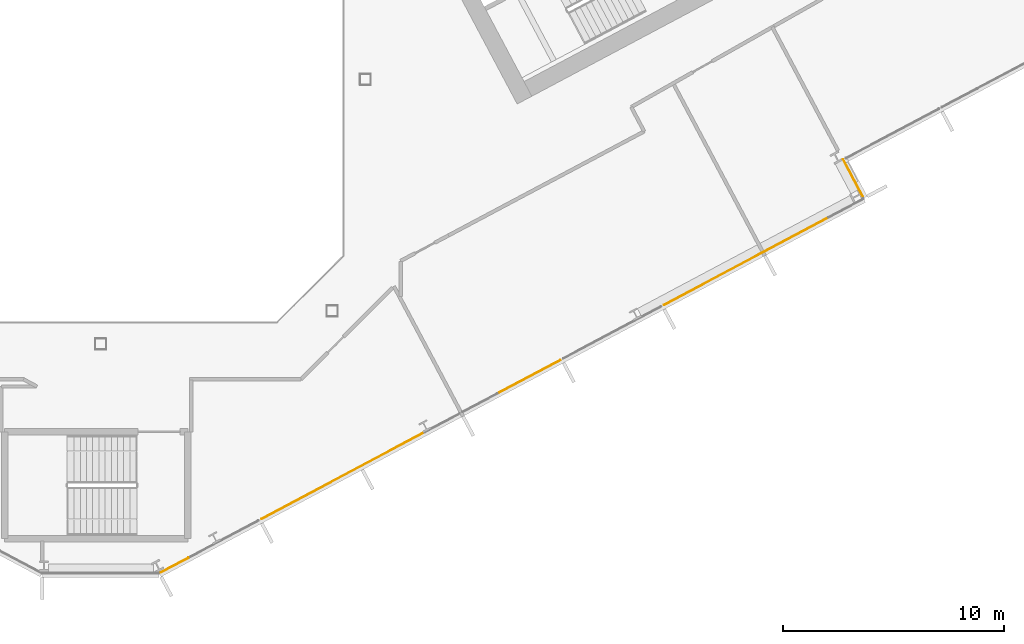
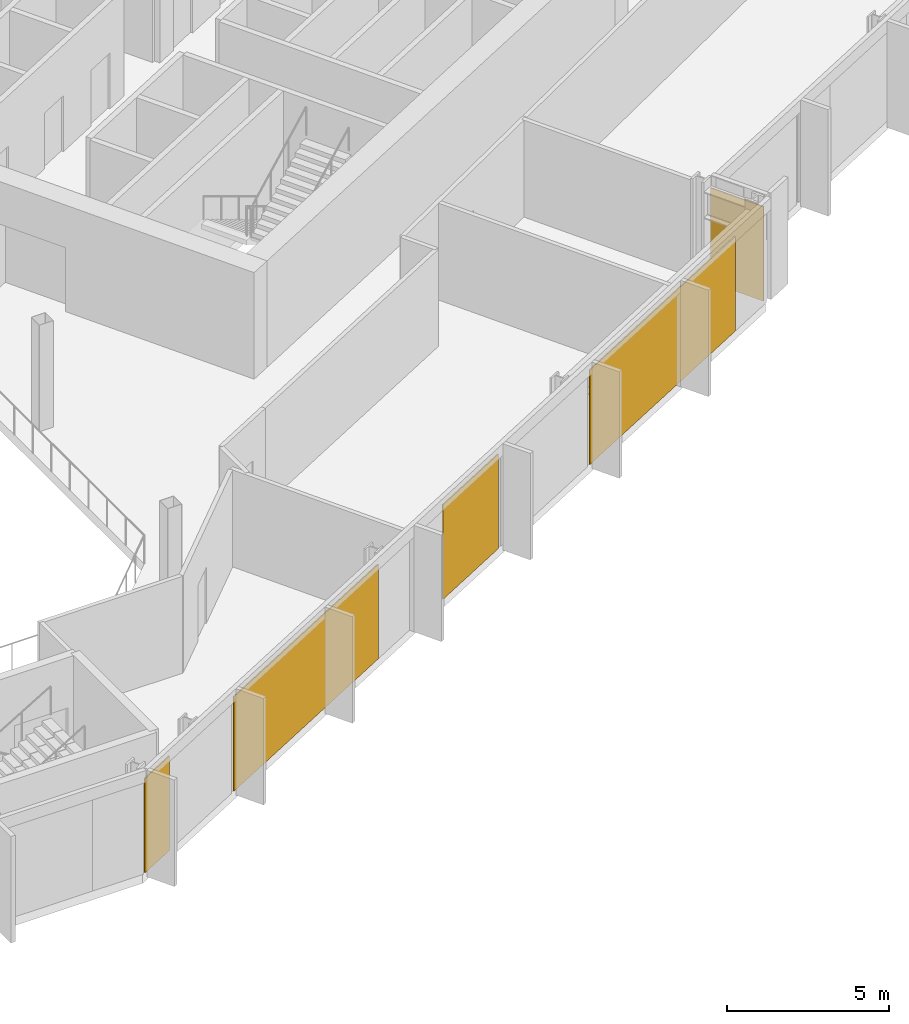
# One storey, part 24 of 28: 5 coverings, 2 elements without a shape of their own.
"""IFC4 building model written with IfcOpenShell, lengths in metres."""

from ifc_helpers import new_model, si_unit, direction, frame, origin, origin_2d, place, context, subcontext, project, spatial, rectangle, extrude, material, layer, layer_set, type_object, element, aggregate, save


model = new_model("IFC4")

# Units and contexts
model_context = context("Model", 3, precision=1e-05, world=origin(), true_north=direction((0.0, 1.0)))
body_context = subcontext(model_context, "Body", "Model", "MODEL_VIEW")
ifc_project = project(units=[si_unit("LENGTHUNIT", "METRE"), si_unit("AREAUNIT", "SQUARE_METRE"), si_unit("VOLUMEUNIT", "CUBIC_METRE"), si_unit("PLANEANGLEUNIT", "RADIAN"), si_unit("MASSUNIT", "GRAM", prefix="KILO")], contexts=[model_context])

# Site, building, storey
site_placement = place(None, origin())
site = spatial("IfcSite", under=ifc_project, at=site_placement, CompositionType="ELEMENT")
building_placement = place(site_placement, origin())
building = spatial("IfcBuilding", under=site, at=building_placement, Name="Cormorant Relay Tower", CompositionType="ELEMENT")
storey_placement = place(building_placement, frame((0.0, 0.0, 150.199951171875)))
storey = spatial("IfcBuildingStorey", under=building, at=storey_placement, Name="L31", CompositionType="ELEMENT", Elevation=150.199951171875)

# Curtain wall, coverings
ifc_material_1 = material(Name="Aluminium 6063-T6 anodised bronze", Category="aluminium")
ifc_layer_1 = layer(ifc_material_1, 0.199951171875)
ifc_layer_set_1 = layer_set([ifc_layer_1], Name="CW1 unitised bronze curtain wall with vertical fins")
curtain_wall_type = type_object("IfcCurtainWallType", Name="CW1 unitised bronze curtain wall with vertical fins", PredefinedType="NOTDEFINED", material=ifc_layer_set_1)
curtain_wall_1_placement = place(storey_placement, origin())
curtain_wall_1 = element("IfcCurtainWall", 1, at=curtain_wall_1_placement, inside=storey, type_object=curtain_wall_type, Name="CW1 curtain wall 2", PredefinedType="NOTDEFINED")
ifc_material_2 = material(Name="Pale bronze anodised aluminium insulated panel", Category="aluminium")
ifc_layer_2 = layer(ifc_material_2, 0.0400390625)
ifc_layer_set_2 = layer_set([ifc_layer_2], Name="CW1 pale bronze insulated panel 40")
covering_type = type_object("IfcCoveringType", Name="CW1 pale bronze insulated panel 40", PredefinedType="CLADDING", material=ifc_layer_set_2)
covering_1_placement = place(storey_placement, frame((3.349853515625, -22.025390625, 0.0), z_axis=(0.0, 0.0, 1.0), x_axis=(0.882947592859, 0.469471562786, 0.0)))
covering_1 = element("IfcCovering", 2, at=covering_1_placement, type_object=covering_type, Name="CW1 panel S00", PredefinedType="CLADDING", context=body_context, shape_type="SweptSolid", body=[
    extrude(rectangle(XDim=1.41650390625, YDim=0.0400390625, at=origin_2d()), origin(), (0.0, 0.0, 1.0), 3.550048828125),
])
covering_2_placement = place(storey_placement, frame((10.9873046875, -17.964599609375, 0.0), z_axis=(0.0, 0.0, 1.0), x_axis=(0.882947592859, 0.469471562786, 0.0)))
covering_2 = element("IfcCovering", 3, at=covering_2_placement, type_object=covering_type, Name="CW1 panel S02", PredefinedType="CLADDING", context=body_context, shape_type="SweptSolid", body=[
    extrude(rectangle(XDim=8.383056640625, YDim=0.0400390625, at=origin_2d()), origin(), (0.0, 0.0, 1.0), 3.550048828125),
])
covering_3_placement = place(storey_placement, frame((19.419189453125, -13.481201171875, 0.0), z_axis=(0.0, 0.0, 1.0), x_axis=(0.882947592859, 0.469471562786, 0.0)))
covering_3 = element("IfcCovering", 4, at=covering_3_placement, type_object=covering_type, Name="CW1 panel S05", PredefinedType="CLADDING", context=body_context, shape_type="SweptSolid", body=[
    extrude(rectangle(XDim=3.216552734375, YDim=0.0400390625, at=origin_2d()), origin(), (0.0, 0.0, 1.0), 3.550048828125),
])
covering_4_placement = place(storey_placement, frame((29.267578125, -8.244873046875, 0.0), z_axis=(0.0, 0.0, 1.0), x_axis=(0.882947592859, 0.469471562786, 0.0)))
covering_4 = element("IfcCovering", 5, at=covering_4_placement, type_object=covering_type, Name="CW1 panel S07", PredefinedType="CLADDING", context=body_context, shape_type="SweptSolid", body=[
    extrude(rectangle(XDim=8.4580078125, YDim=0.0400390625, at=origin_2d()), origin(), (0.0, 0.0, 1.0), 3.550048828125),
])
aggregate(curtain_wall_1, [covering_1, covering_2, covering_3, covering_4])

# Curtain wall, covering
curtain_wall_2_placement = place(storey_placement, origin())
curtain_wall_2 = element("IfcCurtainWall", 6, at=curtain_wall_2_placement, inside=storey, type_object=curtain_wall_type, Name="CW1 curtain wall 3", PredefinedType="NOTDEFINED")
covering_5_placement = place(storey_placement, frame((34.112060546875, -4.47119140625, 0.0), z_axis=(0.0, 0.0, 1.0), x_axis=(-0.469471562786, 0.882947592859, 0.0)))
covering_5 = element("IfcCovering", 7, at=covering_5_placement, type_object=covering_type, Name="CW1 panel S00", PredefinedType="CLADDING", context=body_context, shape_type="SweptSolid", body=[
    extrude(rectangle(XDim=1.925048828125, YDim=0.0400390625, at=origin_2d()), origin(), (0.0, 0.0, 1.0), 3.550048828125),
])
aggregate(curtain_wall_2, [covering_5])

save(model, "model.ifc")
